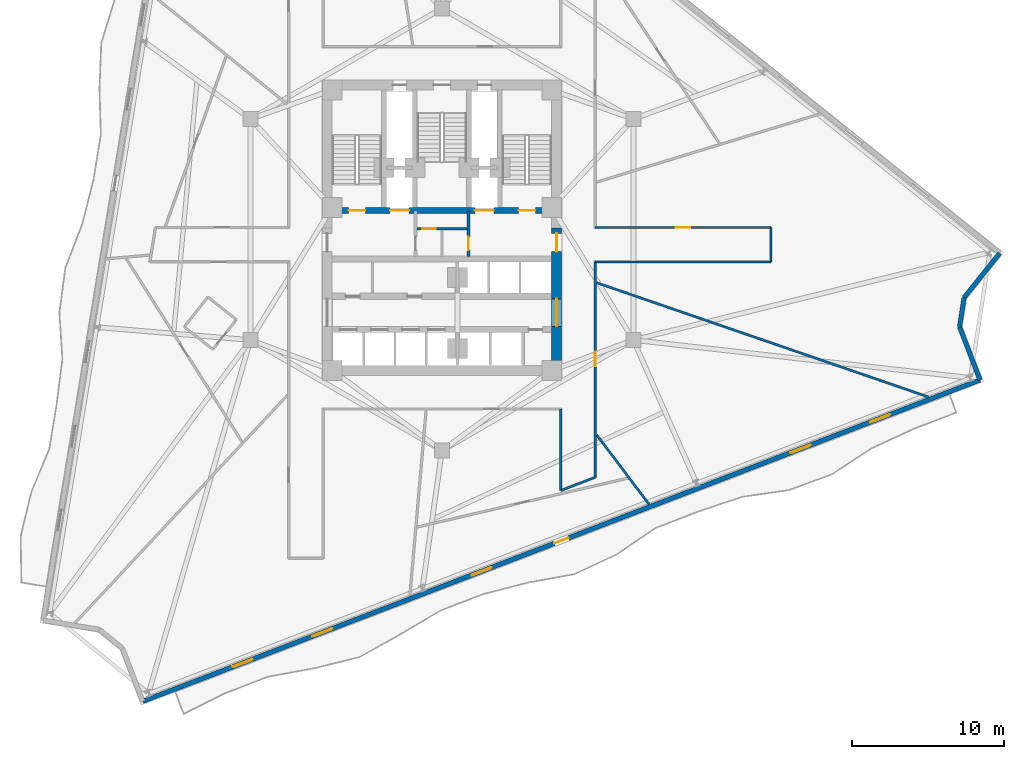
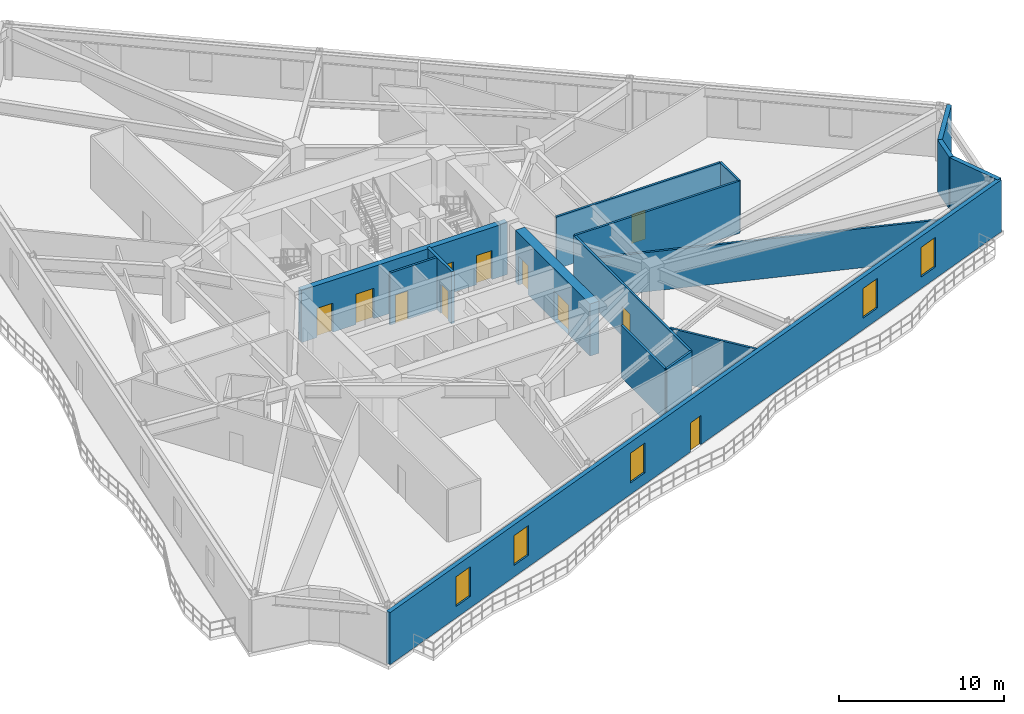
# One storey, part 5 of 10: 16 walls, 11 doors, 5 windows, 16 openings.
"""IFC4 building model written with IfcOpenShell, lengths in metres."""

from ifc_helpers import new_model, si_unit, direction, frame, frame_2d, origin, place, context, subcontext, project, spatial, rectangle, extrude, material, layer, layer_set, type_object, element, fill, save


model = new_model("IFC4")

# Units and contexts
model_context = context("Model", 3, precision=1e-05, world=origin(), true_north=direction((0.0, 1.0)))
body_context = subcontext(model_context, "Body", "Model", "MODEL_VIEW")
ifc_project = project(units=[si_unit("LENGTHUNIT", "METRE"), si_unit("AREAUNIT", "SQUARE_METRE"), si_unit("VOLUMEUNIT", "CUBIC_METRE"), si_unit("PLANEANGLEUNIT", "RADIAN"), si_unit("MASSUNIT", "GRAM", prefix="KILO")], contexts=[model_context])

# Site, building, storey
site_placement = place(None, origin())
site = spatial("IfcSite", under=ifc_project, at=site_placement, CompositionType="ELEMENT")
building_placement = place(site_placement, origin())
building = spatial("IfcBuilding", under=site, at=building_placement, Name="Apsidion Concourse Tower", CompositionType="ELEMENT")
storey_placement = place(building_placement, frame((0.0, 0.0, 144.5)))
storey = spatial("IfcBuildingStorey", under=building, at=storey_placement, Name="L33", CompositionType="ELEMENT", Elevation=144.5)

# Walls
ifc_material_1 = material(Name="Precast concrete C40/50", Category="concrete")
ifc_layer_1 = layer(ifc_material_1, 0.300048828125)
ifc_layer_set_1 = layer_set([ifc_layer_1], Name="Precast concrete C40/50")
wall_type_1 = type_object("IfcWallType", Name="WL-EXT-300", PredefinedType="STANDARD", material=ifc_layer_set_1)
wall_1_placement = place(storey_placement, frame((36.58984375, -1.556640625, 0.0), z_axis=(0.0, 0.0, 1.0), x_axis=(-0.62493402561, -0.780677567012, 0.0)))
element("IfcWall", 1, at=wall_1_placement, inside=storey, type_object=wall_type_1, Name="L33 Precast Stone Facade Wall 02", PredefinedType="STANDARD", context=body_context, shape_type="SweptSolid", body=[
    extrude(rectangle(XDim=3.737060546875, YDim=0.300048828125, at=frame_2d((1.86865234375, 0.0))), origin(), (0.0, 0.0, 1.0), 3.85009765625),
])
wall_2_placement = place(storey_placement, frame((34.25439453125, -4.47412109375, 0.0), z_axis=(0.0, 0.0, 1.0), x_axis=(-0.153717968475, -0.988114763663, 0.0)))
element("IfcWall", 2, at=wall_2_placement, inside=storey, type_object=wall_type_1, Name="L33 Precast Stone Facade Wall 03", PredefinedType="STANDARD", context=body_context, shape_type="SweptSolid", body=[
    extrude(rectangle(XDim=1.932861328125, YDim=0.300048828125, at=frame_2d((0.96630859375, 0.0))), origin(), (0.0, 0.0, 1.0), 3.85009765625),
])
wall_3_placement = place(storey_placement, frame((33.957275390625, -6.384033203125, 0.0), z_axis=(0.0, 0.0, 1.0), x_axis=(0.358344201462, -0.933589542186, 0.0)))
element("IfcWall", 3, at=wall_3_placement, inside=storey, type_object=wall_type_1, Name="L33 Precast Stone Facade Wall 04", PredefinedType="STANDARD", context=body_context, shape_type="SweptSolid", body=[
    extrude(rectangle(XDim=3.737060546875, YDim=0.300048828125, at=frame_2d((1.86865234375, 0.0))), origin(), (0.0, 0.0, 1.0), 3.85009765625),
])

# Wall, openings, door, windows
wall_4_placement = place(storey_placement, frame((35.29638671875, -9.872802734375, 0.0), z_axis=(0.0, 0.0, 1.0), x_axis=(-0.933580612554, -0.35836746485, 0.0)))
wall_4 = element("IfcWall", 4, at=wall_4_placement, inside=storey, type_object=wall_type_1, Name="L33 Precast Stone Facade Wall 05", PredefinedType="STANDARD", context=body_context, shape_type="SweptSolid", body=[
    extrude(rectangle(XDim=58.827880859375, YDim=0.300048828125, at=frame_2d((29.4140625, 0.0))), origin(), (0.0, 0.0, 1.0), 3.85009765625),
])
opening_1_placement = place(wall_4_placement, frame((28.9140625, 0.0, 0.0)))
opening_1 = element("IfcOpeningElement", 5, at=opening_1_placement, cuts=wall_4, Name="Opening D-T1L", PredefinedType="OPENING", context=body_context, shape_type="SweptSolid", body=[
    extrude(rectangle(XDim=1.0, YDim=2.14990234375, at=frame_2d((0.5, 1.074951171875))), frame((0.0, 0.16015625, 0.0), z_axis=(0.0, -1.0, 0.0), x_axis=(1.0, 0.0, 0.0)), (0.0, 0.0, 1.0), 0.320068359375),
])
opening_2_placement = place(wall_4_placement, frame((6.31396484375, 0.0, 0.85009765625)))
opening_2 = element("IfcOpeningElement", 6, at=opening_2_placement, cuts=wall_4, Name="Opening WN-05", PredefinedType="OPENING", context=body_context, shape_type="SweptSolid", body=[
    extrude(rectangle(XDim=1.39990234375, YDim=2.199951171875, at=frame_2d((0.699951171875, 1.10009765625))), frame((0.0, 0.16015625, 0.0), z_axis=(0.0, -1.0, 0.0), x_axis=(1.0, 0.0, 0.0)), (0.0, 0.0, 1.0), 0.320068359375),
])
opening_3_placement = place(wall_4_placement, frame((11.9140625, 0.0, 0.85009765625)))
opening_3 = element("IfcOpeningElement", 7, at=opening_3_placement, cuts=wall_4, Name="Opening WN-05", PredefinedType="OPENING", context=body_context, shape_type="SweptSolid", body=[
    extrude(rectangle(XDim=1.39990234375, YDim=2.199951171875, at=frame_2d((0.699951171875, 1.10009765625))), frame((0.0, 0.16015625, 0.0), z_axis=(0.0, -1.0, 0.0), x_axis=(1.0, 0.0, 0.0)), (0.0, 0.0, 1.0), 0.320068359375),
])
opening_4_placement = place(wall_4_placement, frame((34.31396484375, 0.0, 0.85009765625)))
opening_4 = element("IfcOpeningElement", 8, at=opening_4_placement, cuts=wall_4, Name="Opening WN-05", PredefinedType="OPENING", context=body_context, shape_type="SweptSolid", body=[
    extrude(rectangle(XDim=1.39990234375, YDim=2.199951171875, at=frame_2d((0.699951171875, 1.10009765625))), frame((0.0, 0.16015625, 0.0), z_axis=(0.0, -1.0, 0.0), x_axis=(1.0, 0.0, 0.0)), (0.0, 0.0, 1.0), 0.320068359375),
])
opening_5_placement = place(wall_4_placement, frame((45.513916015625, 0.0, 0.85009765625)))
opening_5 = element("IfcOpeningElement", 9, at=opening_5_placement, cuts=wall_4, Name="Opening WN-05", PredefinedType="OPENING", context=body_context, shape_type="SweptSolid", body=[
    extrude(rectangle(XDim=1.39990234375, YDim=2.199951171875, at=frame_2d((0.699951171875, 1.10009765625))), frame((0.0, 0.16015625, 0.0), z_axis=(0.0, -1.0, 0.0), x_axis=(1.0, 0.0, 0.0)), (0.0, 0.0, 1.0), 0.320068359375),
])
opening_6_placement = place(wall_4_placement, frame((51.114013671875, 0.0, 0.85009765625)))
opening_6 = element("IfcOpeningElement", 10, at=opening_6_placement, cuts=wall_4, Name="Opening WN-05", PredefinedType="OPENING", context=body_context, shape_type="SweptSolid", body=[
    extrude(rectangle(XDim=1.39990234375, YDim=2.199951171875, at=frame_2d((0.699951171875, 1.10009765625))), frame((0.0, 0.16015625, 0.0), z_axis=(0.0, -1.0, 0.0), x_axis=(1.0, 0.0, 0.0)), (0.0, 0.0, 1.0), 0.320068359375),
])
ifc_material_2 = material(Name="Anodised aluminium EN AW-6063 T6", Category="aluminium")
door_type_1 = type_object("IfcDoorType", Name="DR-TER-1022L", OperationType="SINGLE_SWING_LEFT", PredefinedType="DOOR", material=ifc_material_2)
door_1_placement = place(opening_1_placement, origin())
door_1 = element("IfcDoor", 11, at=door_1_placement, inside=storey, type_object=door_type_1, Name="L33 Balcony Access Door 2", OperationType="SINGLE_SWING_LEFT", OverallHeight=2.14990234375, OverallWidth=1.0, PredefinedType="DOOR", context=body_context, shape_type="SweptSolid", body=[
    extrude(rectangle(XDim=1.0, YDim=2.14990234375, at=frame_2d((0.5, 1.074951171875))), frame((0.0, 0.02490234375, 0.0), z_axis=(0.0, -1.0, 0.0), x_axis=(1.0, 0.0, 0.0)), (0.0, 0.0, 1.0), 0.050048828125),
])
fill(opening_1, door_1)
ifc_material_3 = material(Name="Insulated laminated low-E glass", Category="glass")
window_type = type_object("IfcWindowType", Name="WN-OFF-1424", PartitioningType="SINGLE_PANEL", PredefinedType="WINDOW", material=ifc_material_3)
window_1_placement = place(opening_2_placement, origin())
window_1 = element("IfcWindow", 12, at=window_1_placement, inside=storey, type_object=window_type, Name="L33 Punched Facade Window 5-01", OverallHeight=2.199951171875, OverallWidth=1.39990234375, PartitioningType="SINGLE_PANEL", PredefinedType="WINDOW", context=body_context, shape_type="SweptSolid", body=[
    extrude(rectangle(XDim=1.39990234375, YDim=2.199951171875, at=frame_2d((0.699951171875, 1.10009765625))), frame((0.0, 0.030029296875, 0.0), z_axis=(0.0, -1.0, 0.0), x_axis=(1.0, 0.0, 0.0)), (0.0, 0.0, 1.0), 0.06005859375),
])
fill(opening_2, window_1)
window_2_placement = place(opening_3_placement, origin())
window_2 = element("IfcWindow", 13, at=window_2_placement, inside=storey, type_object=window_type, Name="L33 Punched Facade Window 5-02", OverallHeight=2.199951171875, OverallWidth=1.39990234375, PartitioningType="SINGLE_PANEL", PredefinedType="WINDOW", context=body_context, shape_type="SweptSolid", body=[
    extrude(rectangle(XDim=1.39990234375, YDim=2.199951171875, at=frame_2d((0.699951171875, 1.10009765625))), frame((0.0, 0.030029296875, 0.0), z_axis=(0.0, -1.0, 0.0), x_axis=(1.0, 0.0, 0.0)), (0.0, 0.0, 1.0), 0.06005859375),
])
fill(opening_3, window_2)
window_3_placement = place(opening_4_placement, origin())
window_3 = element("IfcWindow", 14, at=window_3_placement, inside=storey, type_object=window_type, Name="L33 Punched Facade Window 5-06", OverallHeight=2.199951171875, OverallWidth=1.39990234375, PartitioningType="SINGLE_PANEL", PredefinedType="WINDOW", context=body_context, shape_type="SweptSolid", body=[
    extrude(rectangle(XDim=1.39990234375, YDim=2.199951171875, at=frame_2d((0.699951171875, 1.10009765625))), frame((0.0, 0.030029296875, 0.0), z_axis=(0.0, -1.0, 0.0), x_axis=(1.0, 0.0, 0.0)), (0.0, 0.0, 1.0), 0.06005859375),
])
fill(opening_4, window_3)
window_4_placement = place(opening_5_placement, origin())
window_4 = element("IfcWindow", 15, at=window_4_placement, inside=storey, type_object=window_type, Name="L33 Punched Facade Window 5-08", OverallHeight=2.199951171875, OverallWidth=1.39990234375, PartitioningType="SINGLE_PANEL", PredefinedType="WINDOW", context=body_context, shape_type="SweptSolid", body=[
    extrude(rectangle(XDim=1.39990234375, YDim=2.199951171875, at=frame_2d((0.699951171875, 1.10009765625))), frame((0.0, 0.030029296875, 0.0), z_axis=(0.0, -1.0, 0.0), x_axis=(1.0, 0.0, 0.0)), (0.0, 0.0, 1.0), 0.06005859375),
])
fill(opening_5, window_4)
window_5_placement = place(opening_6_placement, origin())
window_5 = element("IfcWindow", 16, at=window_5_placement, inside=storey, type_object=window_type, Name="L33 Punched Facade Window 5-09", OverallHeight=2.199951171875, OverallWidth=1.39990234375, PartitioningType="SINGLE_PANEL", PredefinedType="WINDOW", context=body_context, shape_type="SweptSolid", body=[
    extrude(rectangle(XDim=1.39990234375, YDim=2.199951171875, at=frame_2d((0.699951171875, 1.10009765625))), frame((0.0, 0.030029296875, 0.0), z_axis=(0.0, -1.0, 0.0), x_axis=(1.0, 0.0, 0.0)), (0.0, 0.0, 1.0), 0.06005859375),
])
fill(opening_6, window_5)

# Wall, opening, door
ifc_material_4 = material(Name="Gypsum plasterboard partition")
ifc_layer_2 = layer(ifc_material_4, 0.14990234375)
ifc_layer_set_2 = layer_set([ifc_layer_2], Name="Gypsum plasterboard partition")
wall_type_2 = type_object("IfcWallType", Name="WL-INT-PAR-150", PredefinedType="PARTITIONING", material=ifc_layer_set_2)
wall_5_placement = place(storey_placement, frame((-1.639892578125, 0.0400390625, 0.0), z_axis=(0.0, 0.0, 1.0), x_axis=(1.0, 0.0, 0.0)))
wall_5 = element("IfcWall", 17, at=wall_5_placement, inside=storey, type_object=wall_type_2, Name="L33 Interior Partition WL-L33-K4H", PredefinedType="PARTITIONING", context=body_context, shape_type="SweptSolid", body=[
    extrude(rectangle(XDim=3.27978515625, YDim=0.14990234375, at=frame_2d((1.639892578125, 0.0))), origin(), (0.0, 0.0, 1.0), 3.85009765625),
])
opening_7_placement = place(wall_5_placement, frame((0.360107421875, 0.0, 0.0)))
opening_7 = element("IfcOpeningElement", 18, at=opening_7_placement, cuts=wall_5, Name="Opening D-03L", PredefinedType="OPENING", context=body_context, shape_type="SweptSolid", body=[
    extrude(rectangle(XDim=0.8798828125, YDim=2.10009765625, at=frame_2d((0.43994140625, 1.050048828125))), frame((0.0, 0.0849609375, 0.0), z_axis=(0.0, -1.0, 0.0), x_axis=(1.0, 0.0, 0.0)), (0.0, 0.0, 1.0), 0.169921875),
])
door_type_2 = type_object("IfcDoorType", Name="DR-INT-D03L", OperationType="SINGLE_SWING_LEFT", PredefinedType="DOOR", material=ifc_material_2)
door_2_placement = place(opening_7_placement, origin())
door_2 = element("IfcDoor", 19, at=door_2_placement, inside=storey, type_object=door_type_2, Name="L33 Core Telecoms Door", OperationType="SINGLE_SWING_LEFT", OverallHeight=2.10009765625, OverallWidth=0.8798828125, PredefinedType="DOOR", context=body_context, shape_type="SweptSolid", body=[
    extrude(rectangle(XDim=0.8798828125, YDim=2.10009765625, at=frame_2d((0.43994140625, 1.050048828125))), frame((0.0, 0.02490234375, 0.0), z_axis=(0.0, -1.0, 0.0), x_axis=(1.0, 0.0, 0.0)), (0.0, 0.0, 1.0), 0.050048828125),
])
fill(opening_7, door_2)

# Walls
wall_6_placement = place(storey_placement, frame((10.050048828125, -16.259521484375, 0.0), z_axis=(0.0, 0.0, 1.0), x_axis=(-0.933561171802, -0.358418105713, 0.0)))
element("IfcWall", 20, at=wall_6_placement, inside=storey, type_object=wall_type_2, Name="L33 Interior Partition WL-L33-CORR-01", PredefinedType="PARTITIONING", context=body_context, shape_type="SweptSolid", body=[
    extrude(rectangle(XDim=2.4208984375, YDim=0.14990234375, at=frame_2d((1.21044921875, 0.0))), origin(), (0.0, 0.0, 1.0), 3.85009765625),
])
wall_7_placement = place(storey_placement, frame((7.7900390625, -17.127197265625, 0.0), z_axis=(0.0, 0.0, 1.0), x_axis=(0.0, 1.0, 0.0)))
element("IfcWall", 21, at=wall_7_placement, inside=storey, type_object=wall_type_2, Name="L33 Interior Partition WL-L33-CORR-02", PredefinedType="PARTITIONING", context=body_context, shape_type="SweptSolid", body=[
    extrude(rectangle(XDim=5.352294921875, YDim=0.14990234375, at=frame_2d((2.67626953125, 0.0))), origin(), (0.0, 0.0, 1.0), 3.85009765625),
])

# Wall, opening, door
wall_8_placement = place(storey_placement, frame((10.050048828125, 0.1298828125, 0.0), z_axis=(0.0, 0.0, 1.0), x_axis=(1.0, 0.0, 0.0)))
wall_8 = element("IfcWall", 22, at=wall_8_placement, inside=storey, type_object=wall_type_2, Name="L33 Interior Partition WL-L33-CORR-17", PredefinedType="PARTITIONING", context=body_context, shape_type="SweptSolid", body=[
    extrude(rectangle(XDim=11.530029296875, YDim=0.14990234375, at=frame_2d((5.76513671875, 0.0))), origin(), (0.0, 0.0, 1.0), 3.85009765625),
])
opening_8_placement = place(wall_8_placement, frame((5.2900390625, 0.0, 0.0)))
opening_8 = element("IfcOpeningElement", 23, at=opening_8_placement, cuts=wall_8, Name="Opening D-01L", PredefinedType="OPENING", context=body_context, shape_type="SweptSolid", body=[
    extrude(rectangle(XDim=0.949951171875, YDim=2.14990234375, at=frame_2d((0.47509765625, 1.074951171875))), frame((0.0, 0.0849609375, 0.0), z_axis=(0.0, -1.0, 0.0), x_axis=(1.0, 0.0, 0.0)), (0.0, 0.0, 1.0), 0.169921875),
])
ifc_material_5 = material(Name="Brushed stainless steel 316", Category="steel")
door_type_3 = type_object("IfcDoorType", Name="DR-INT-D01L", OperationType="SINGLE_SWING_LEFT", PredefinedType="DOOR", material=ifc_material_5)
door_3_placement = place(opening_8_placement, origin())
door_3 = element("IfcDoor", 24, at=door_3_placement, inside=storey, type_object=door_type_3, Name="L33 Corridor Entry Door 05", OperationType="SINGLE_SWING_LEFT", OverallHeight=2.14990234375, OverallWidth=0.949951171875, PredefinedType="DOOR", context=body_context, shape_type="SweptSolid", body=[
    extrude(rectangle(XDim=0.949951171875, YDim=2.14990234375, at=frame_2d((0.47509765625, 1.074951171875))), frame((0.0, 0.02490234375, 0.0), z_axis=(0.0, -1.0, 0.0), x_axis=(1.0, 0.0, 0.0)), (0.0, 0.0, 1.0), 0.050048828125),
])
fill(opening_8, door_3)

# Walls
wall_9_placement = place(storey_placement, frame((21.580078125, 0.1298828125, 0.0), z_axis=(0.0, 0.0, 1.0), x_axis=(0.0, -1.0, 0.0)))
element("IfcWall", 25, at=wall_9_placement, inside=storey, type_object=wall_type_2, Name="L33 Interior Partition WL-L33-CORR-18", PredefinedType="PARTITIONING", context=body_context, shape_type="SweptSolid", body=[
    extrude(rectangle(XDim=2.259765625, YDim=0.14990234375, at=frame_2d((1.1298828125, 0.0))), origin(), (0.0, 0.0, 1.0), 3.85009765625),
])
wall_10_placement = place(storey_placement, frame((21.580078125, -2.1298828125, 0.0), z_axis=(0.0, 0.0, 1.0), x_axis=(-1.0, 0.0, 0.0)))
element("IfcWall", 26, at=wall_10_placement, inside=storey, type_object=wall_type_2, Name="L33 Interior Partition WL-L33-CORR-19", PredefinedType="PARTITIONING", context=body_context, shape_type="SweptSolid", body=[
    extrude(rectangle(XDim=11.530029296875, YDim=0.14990234375, at=frame_2d((5.76513671875, 0.0))), origin(), (0.0, 0.0, 1.0), 3.85009765625),
])

# Wall, opening, door
wall_11_placement = place(storey_placement, frame((10.050048828125, -2.1298828125, 0.0), z_axis=(0.0, 0.0, 1.0), x_axis=(0.0, -1.0, 0.0)))
wall_11 = element("IfcWall", 27, at=wall_11_placement, inside=storey, type_object=wall_type_2, Name="L33 Interior Partition WL-L33-CORR-20", PredefinedType="PARTITIONING", context=body_context, shape_type="SweptSolid", body=[
    extrude(rectangle(XDim=14.129638671875, YDim=0.14990234375, at=frame_2d((7.06494140625, 0.0))), origin(), (0.0, 0.0, 1.0), 3.85009765625),
])
opening_9_placement = place(wall_11_placement, frame((5.901611328125, 0.0, 0.0)))
opening_9 = element("IfcOpeningElement", 28, at=opening_9_placement, cuts=wall_11, Name="Opening D-01R", PredefinedType="OPENING", context=body_context, shape_type="SweptSolid", body=[
    extrude(rectangle(XDim=0.949951171875, YDim=2.14990234375, at=frame_2d((0.47509765625, 1.074951171875))), frame((0.0, 0.0849609375, 0.0), z_axis=(0.0, -1.0, 0.0), x_axis=(1.0, 0.0, 0.0)), (0.0, 0.0, 1.0), 0.169921875),
])
door_type_4 = type_object("IfcDoorType", Name="DR-INT-D01R", OperationType="SINGLE_SWING_RIGHT", PredefinedType="DOOR", material=ifc_material_5)
door_4_placement = place(opening_9_placement, origin())
door_4 = element("IfcDoor", 29, at=door_4_placement, inside=storey, type_object=door_type_4, Name="L33 Corridor Entry Door 04", OperationType="SINGLE_SWING_RIGHT", OverallHeight=2.14990234375, OverallWidth=0.949951171875, PredefinedType="DOOR", context=body_context, shape_type="SweptSolid", body=[
    extrude(rectangle(XDim=0.949951171875, YDim=2.14990234375, at=frame_2d((0.47509765625, 1.074951171875))), frame((0.0, 0.02490234375, 0.0), z_axis=(0.0, -1.0, 0.0), x_axis=(1.0, 0.0, 0.0)), (0.0, 0.0, 1.0), 0.050048828125),
])
fill(opening_9, door_4)

# Walls
wall_12_placement = place(storey_placement, frame((10.155029296875, -13.47607421875, 0.0), z_axis=(0.0, 0.0, 1.0), x_axis=(0.601807099294, -0.798641481041, 0.0)))
element("IfcWall", 30, at=wall_12_placement, inside=storey, type_object=wall_type_2, Name="L33 Interior Partition WL-L33-RAD-08-1", PredefinedType="PARTITIONING", context=body_context, shape_type="SweptSolid", body=[
    extrude(rectangle(XDim=5.701904296875, YDim=0.14990234375, at=frame_2d((2.85107421875, 0.0))), origin(), (0.0, 0.0, 1.0), 3.85009765625),
])
wall_13_placement = place(storey_placement, frame((10.155029296875, -3.49658203125, 0.0), z_axis=(0.0, 0.0, 1.0), x_axis=(0.945516019474, -0.325575577889, 0.0)))
element("IfcWall", 31, at=wall_13_placement, inside=storey, type_object=wall_type_2, Name="L33 Interior Partition WL-L33-RAD-09-1", PredefinedType="PARTITIONING", context=body_context, shape_type="SweptSolid", body=[
    extrude(rectangle(XDim=23.021240234375, YDim=0.14990234375, at=frame_2d((11.5107421875, 0.0))), origin(), (0.0, 0.0, 1.0), 2.89794921875),
])

# Wall, opening, door
ifc_layer_3 = layer(ifc_material_4, 0.199951171875)
ifc_layer_set_3 = layer_set([ifc_layer_3], Name="Gypsum plasterboard partition")
wall_type_3 = type_object("IfcWallType", Name="WL-INT-PAR-200", PredefinedType="PARTITIONING", material=ifc_layer_set_3)
wall_14_placement = place(storey_placement, frame((1.739990234375, -1.780029296875, 0.0), z_axis=(0.0, 0.0, 1.0), x_axis=(0.0, 1.0, 0.0)))
wall_14 = element("IfcWall", 32, at=wall_14_placement, inside=storey, type_object=wall_type_3, Name="L33 Interior Partition WL-L33-FF2-W", PredefinedType="PARTITIONING", context=body_context, shape_type="SweptSolid", body=[
    extrude(rectangle(XDim=2.97998046875, YDim=0.199951171875, at=frame_2d((1.489990234375, 0.0))), origin(), (0.0, 0.0, 1.0), 3.85009765625),
])
opening_10_placement = place(wall_14_placement, frame((0.419921875, 0.0, 0.0)))
opening_10 = element("IfcOpeningElement", 33, at=opening_10_placement, cuts=wall_14, Name="Opening D-05L", PredefinedType="OPENING", context=body_context, shape_type="SweptSolid", body=[
    extrude(rectangle(XDim=0.8798828125, YDim=2.14990234375, at=frame_2d((0.43994140625, 1.074951171875))), frame((0.0, 0.10986328125, 0.0), z_axis=(0.0, -1.0, 0.0), x_axis=(1.0, 0.0, 0.0)), (0.0, 0.0, 1.0), 0.219970703125),
])
door_type_5 = type_object("IfcDoorType", Name="DR-INT-D05L", OperationType="SINGLE_SWING_LEFT", PredefinedType="DOOR", material=ifc_material_5)
door_5_placement = place(opening_10_placement, origin())
door_5 = element("IfcDoor", 34, at=door_5_placement, inside=storey, type_object=door_type_5, Name="L33 Core First Aid Door", OperationType="SINGLE_SWING_LEFT", OverallHeight=2.14990234375, OverallWidth=0.8798828125, PredefinedType="DOOR", context=body_context, shape_type="SweptSolid", body=[
    extrude(rectangle(XDim=0.8798828125, YDim=2.14990234375, at=frame_2d((0.43994140625, 1.074951171875))), frame((0.0, 0.02490234375, 0.0), z_axis=(0.0, -1.0, 0.0), x_axis=(1.0, 0.0, 0.0)), (0.0, 0.0, 1.0), 0.050048828125),
])
fill(opening_10, door_5)

# Wall, openings, doors
ifc_material_6 = material(Name="Concrete C50/60", Category="concrete")
ifc_layer_4 = layer(ifc_material_6, 0.39990234375)
ifc_layer_set_4 = layer_set([ifc_layer_4], Name="Concrete C50/60")
wall_type_4 = type_object("IfcWallType", Name="WL-SH-400", PredefinedType="SHEAR", material=ifc_layer_set_4)
wall_15_placement = place(storey_placement, frame((-7.199951171875, 1.25, 0.0), z_axis=(0.0, 0.0, 1.0), x_axis=(1.0, 0.0, 0.0)))
wall_15 = element("IfcWall", 35, at=wall_15_placement, inside=storey, type_object=wall_type_4, Name="L33 Central Core Shear Wall M1", PredefinedType="SHEAR", context=body_context, shape_type="SweptSolid", body=[
    extrude(rectangle(XDim=14.39990234375, YDim=0.39990234375, at=frame_2d((7.199951171875, 0.0))), origin(), (0.0, 0.0, 1.0), 3.85009765625),
])
opening_11_placement = place(wall_15_placement, frame((3.794921875, 0.0, 0.0)))
opening_11 = element("IfcOpeningElement", 36, at=opening_11_placement, cuts=wall_15, Name="Opening LD-FF", PredefinedType="OPENING", context=body_context, shape_type="SweptSolid", body=[
    extrude(rectangle(XDim=1.25, YDim=2.25, at=frame_2d((0.625, 1.125))), frame((0.0, 0.2099609375, 0.0), z_axis=(0.0, -1.0, 0.0), x_axis=(1.0, 0.0, 0.0)), (0.0, 0.0, 1.0), 0.419921875),
])
opening_12_placement = place(wall_15_placement, frame((9.35498046875, 0.0, 0.0)))
opening_12 = element("IfcOpeningElement", 37, at=opening_12_placement, cuts=wall_15, Name="Opening LD-FF", PredefinedType="OPENING", context=body_context, shape_type="SweptSolid", body=[
    extrude(rectangle(XDim=1.25, YDim=2.25, at=frame_2d((0.625, 1.125))), frame((0.0, 0.2099609375, 0.0), z_axis=(0.0, -1.0, 0.0), x_axis=(1.0, 0.0, 0.0)), (0.0, 0.0, 1.0), 0.419921875),
])
opening_13_placement = place(wall_15_placement, frame((1.074951171875, 0.0, 0.0)))
opening_13 = element("IfcOpeningElement", 38, at=opening_13_placement, cuts=wall_15, Name="Opening D-STL", PredefinedType="OPENING", context=body_context, shape_type="SweptSolid", body=[
    extrude(rectangle(XDim=1.10009765625, YDim=2.14990234375, at=frame_2d((0.550048828125, 1.074951171875))), frame((0.0, 0.2099609375, 0.0), z_axis=(0.0, -1.0, 0.0), x_axis=(1.0, 0.0, 0.0)), (0.0, 0.0, 1.0), 0.419921875),
])
opening_14_placement = place(wall_15_placement, frame((12.22509765625, 0.0, 0.0)))
opening_14 = element("IfcOpeningElement", 39, at=opening_14_placement, cuts=wall_15, Name="Opening D-STR", PredefinedType="OPENING", context=body_context, shape_type="SweptSolid", body=[
    extrude(rectangle(XDim=1.10009765625, YDim=2.14990234375, at=frame_2d((0.550048828125, 1.074951171875))), frame((0.0, 0.2099609375, 0.0), z_axis=(0.0, -1.0, 0.0), x_axis=(1.0, 0.0, 0.0)), (0.0, 0.0, 1.0), 0.419921875),
])
door_type_6 = type_object("IfcDoorType", Name="DR-INT-ST1L", OperationType="SINGLE_SWING_LEFT", PredefinedType="DOOR", material=ifc_material_5)
door_6_placement = place(opening_13_placement, origin())
door_6 = element("IfcDoor", 40, at=door_6_placement, inside=storey, type_object=door_type_6, Name="L33 Core Exit Stair ST1 Door", OperationType="SINGLE_SWING_LEFT", OverallHeight=2.14990234375, OverallWidth=1.10009765625, PredefinedType="DOOR", context=body_context, shape_type="SweptSolid", body=[
    extrude(rectangle(XDim=1.10009765625, YDim=2.14990234375, at=frame_2d((0.550048828125, 1.074951171875))), frame((0.0, 0.02490234375, 0.0), z_axis=(0.0, -1.0, 0.0), x_axis=(1.0, 0.0, 0.0)), (0.0, 0.0, 1.0), 0.050048828125),
])
fill(opening_13, door_6)
door_type_7 = type_object("IfcDoorType", Name="DR-INT-ST1R", OperationType="SINGLE_SWING_RIGHT", PredefinedType="DOOR", material=ifc_material_5)
door_7_placement = place(opening_14_placement, origin())
door_7 = element("IfcDoor", 41, at=door_7_placement, inside=storey, type_object=door_type_7, Name="L33 Core Exit Stair ST2 Door", OperationType="SINGLE_SWING_RIGHT", OverallHeight=2.14990234375, OverallWidth=1.10009765625, PredefinedType="DOOR", context=body_context, shape_type="SweptSolid", body=[
    extrude(rectangle(XDim=1.10009765625, YDim=2.14990234375, at=frame_2d((0.550048828125, 1.074951171875))), frame((0.0, 0.02490234375, 0.0), z_axis=(0.0, -1.0, 0.0), x_axis=(1.0, 0.0, 0.0)), (0.0, 0.0, 1.0), 0.050048828125),
])
fill(opening_14, door_7)
door_type_8 = type_object("IfcDoorType", Name="DR-LD-FSAE", OperationType="DOUBLE_DOOR_SLIDING", PredefinedType="DOOR", material=ifc_material_5)
door_8_placement = place(opening_11_placement, origin())
door_8 = element("IfcDoor", 42, at=door_8_placement, inside=storey, type_object=door_type_8, Name="L33 Lift Landing Door FF1", OperationType="DOUBLE_DOOR_SLIDING", OverallHeight=2.25, OverallWidth=1.25, PredefinedType="DOOR", context=body_context, shape_type="SweptSolid", body=[
    extrude(rectangle(XDim=1.25, YDim=2.25, at=frame_2d((0.625, 1.125))), frame((0.0, 0.02490234375, 0.0), z_axis=(0.0, -1.0, 0.0), x_axis=(1.0, 0.0, 0.0)), (0.0, 0.0, 1.0), 0.050048828125),
])
fill(opening_11, door_8)
door_9_placement = place(opening_12_placement, origin())
door_9 = element("IfcDoor", 43, at=door_9_placement, inside=storey, type_object=door_type_8, Name="L33 Lift Landing Door FF2", OperationType="DOUBLE_DOOR_SLIDING", OverallHeight=2.25, OverallWidth=1.25, PredefinedType="DOOR", context=body_context, shape_type="SweptSolid", body=[
    extrude(rectangle(XDim=1.25, YDim=2.25, at=frame_2d((0.625, 1.125))), frame((0.0, 0.02490234375, 0.0), z_axis=(0.0, -1.0, 0.0), x_axis=(1.0, 0.0, 0.0)), (0.0, 0.0, 1.0), 0.050048828125),
])
fill(opening_12, door_9)

ifc_layer_5 = layer(ifc_material_6, 0.64990234375)
ifc_layer_set_5 = layer_set([ifc_layer_5], Name="Concrete C50/60")
wall_type_5 = type_object("IfcWallType", Name="WL-SH-650", PredefinedType="SHEAR", material=ifc_layer_set_5)
wall_16_placement = place(storey_placement, frame((7.52490234375, -8.925048828125, 0.0), z_axis=(0.0, 0.0, 1.0), x_axis=(0.0, 1.0, 0.0)))
wall_16 = element("IfcWall", 44, at=wall_16_placement, inside=storey, type_object=wall_type_5, Name="L33 Central Core Shear Wall ES", PredefinedType="SHEAR", context=body_context, shape_type="SweptSolid", body=[
    extrude(rectangle(XDim=9.025146484375, YDim=0.64990234375, at=frame_2d((4.5126953125, 0.0))), origin(), (0.0, 0.0, 1.0), 3.85009765625),
])
opening_15_placement = place(wall_16_placement, frame((2.56494140625, 0.0, 0.0)))
opening_15 = element("IfcOpeningElement", 45, at=opening_15_placement, cuts=wall_16, Name="Opening D-06D", PredefinedType="OPENING", context=body_context, shape_type="SweptSolid", body=[
    extrude(rectangle(XDim=1.800048828125, YDim=2.199951171875, at=frame_2d((0.89990234375, 1.10009765625))), frame((0.0, 0.3349609375, 0.0), z_axis=(0.0, -1.0, 0.0), x_axis=(1.0, 0.0, 0.0)), (0.0, 0.0, 1.0), 0.669921875),
])
opening_16_placement = place(wall_16_placement, frame((7.47509765625, 0.0, 0.0)))
opening_16 = element("IfcOpeningElement", 46, at=opening_16_placement, cuts=wall_16, Name="Opening D-FFR", PredefinedType="OPENING", context=body_context, shape_type="SweptSolid", body=[
    extrude(rectangle(XDim=1.199951171875, YDim=2.14990234375, at=frame_2d((0.60009765625, 1.074951171875))), frame((0.0, 0.3349609375, 0.0), z_axis=(0.0, -1.0, 0.0), x_axis=(1.0, 0.0, 0.0)), (0.0, 0.0, 1.0), 0.669921875),
])
door_type_9 = type_object("IfcDoorType", Name="DR-INT-D06D", OperationType="DOUBLE_DOOR_SINGLE_SWING", PredefinedType="DOOR", material=ifc_material_5)
door_10_placement = place(opening_15_placement, origin())
door_10 = element("IfcDoor", 47, at=door_10_placement, inside=storey, type_object=door_type_9, Name="L33 Passenger Lift Lobby ES Portal Door", OperationType="DOUBLE_DOOR_SINGLE_SWING", OverallHeight=2.199951171875, OverallWidth=1.800048828125, PredefinedType="DOOR", context=body_context, shape_type="SweptSolid", body=[
    extrude(rectangle(XDim=1.800048828125, YDim=2.199951171875, at=frame_2d((0.89990234375, 1.10009765625))), frame((0.0, 0.02490234375, 0.0), z_axis=(0.0, -1.0, 0.0), x_axis=(1.0, 0.0, 0.0)), (0.0, 0.0, 1.0), 0.050048828125),
])
fill(opening_15, door_10)
door_type_10 = type_object("IfcDoorType", Name="DR-INT-FFR", OperationType="SINGLE_SWING_RIGHT", PredefinedType="DOOR", material=ifc_material_5)
door_11_placement = place(opening_16_placement, origin())
door_11 = element("IfcDoor", 48, at=door_11_placement, inside=storey, type_object=door_type_10, Name="L33 Firefighting Lift Lobby FF2 Door", OperationType="SINGLE_SWING_RIGHT", OverallHeight=2.14990234375, OverallWidth=1.199951171875, PredefinedType="DOOR", context=body_context, shape_type="SweptSolid", body=[
    extrude(rectangle(XDim=1.199951171875, YDim=2.14990234375, at=frame_2d((0.60009765625, 1.074951171875))), frame((0.0, 0.02490234375, 0.0), z_axis=(0.0, -1.0, 0.0), x_axis=(1.0, 0.0, 0.0)), (0.0, 0.0, 1.0), 0.050048828125),
])
fill(opening_16, door_11)

save(model, "model.ifc")
